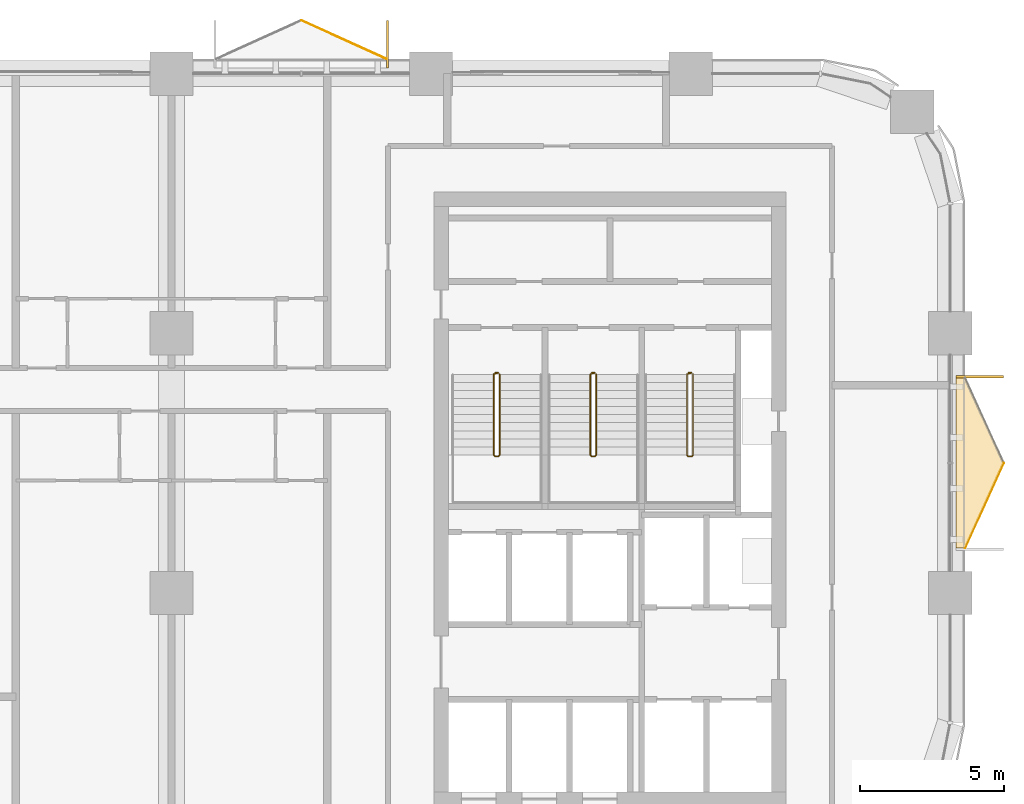
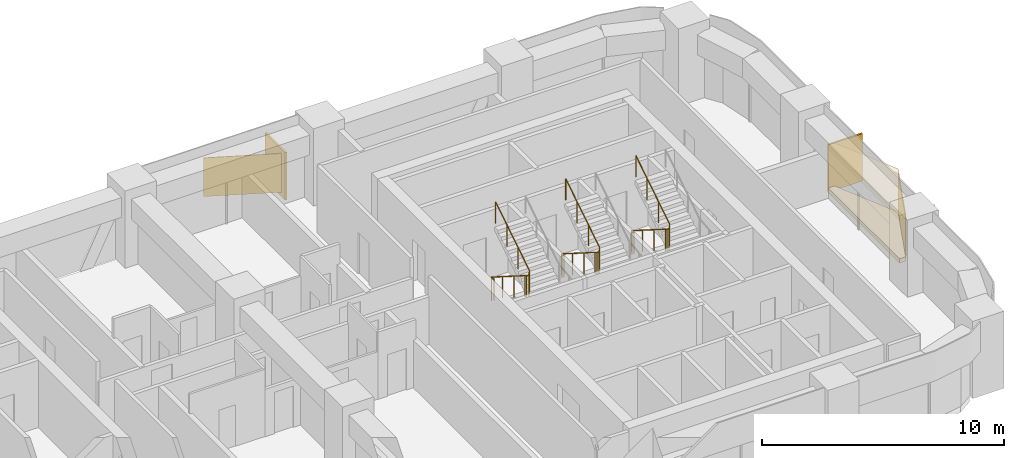
# One storey, part 14 of 14: 6 coverings, 3 railings.
"""IFC4 building model written with IfcOpenShell, lengths in metres."""

from ifc_helpers import new_model, si_unit, direction, frame, origin, origin_2d, place, context, subcontext, project, spatial, polyline, rectangle, circle, outline, extrude, material, layer, layer_set, type_object, element, save


model = new_model("IFC4")

# Units and contexts
model_context = context("Model", 3, precision=1e-05, world=origin(), true_north=direction((0.0, 1.0)))
body_context = subcontext(model_context, "Body", "Model", "MODEL_VIEW")
ifc_project = project(units=[si_unit("LENGTHUNIT", "METRE"), si_unit("AREAUNIT", "SQUARE_METRE"), si_unit("VOLUMEUNIT", "CUBIC_METRE"), si_unit("PLANEANGLEUNIT", "RADIAN"), si_unit("MASSUNIT", "GRAM", prefix="KILO")], contexts=[model_context])

# Site, building, storey
site_placement = place(None, origin())
site = spatial("IfcSite", under=ifc_project, at=site_placement, CompositionType="ELEMENT")
building_placement = place(site_placement, origin())
building = spatial("IfcBuilding", under=site, at=building_placement, Name="Tessera Arch", CompositionType="ELEMENT")
storey_placement = place(building_placement, frame((0.0, 0.0, 193.39990234375)))
storey = spatial("IfcBuildingStorey", under=building, at=storey_placement, Name="L46", CompositionType="ELEMENT", Elevation=193.39990234375)

# Railings
ifc_material_1 = material(Name="Painted steel balustrade", Category="steel")
railing_type = type_object("IfcRailingType", Name="Stair guard 1100", PredefinedType="GUARDRAIL", material=ifc_material_1)
railing_1_placement = place(storey_placement, frame((38.219970703125, 43.6298828125, 0.0)))
element("IfcRailing", 1, at=railing_1_placement, inside=storey, type_object=railing_type, Name="L46 S1a stair guard 1", PredefinedType="GUARDRAIL", context=body_context, shape_type="SweptSolid", body=[
    extrude(circle(Radius=0.02392578125, at=origin_2d()), frame((-0.00390625, 0.0, 1.076171875), z_axis=(1.0, 0.0, 0.0), x_axis=(0.0, 1.0, 0.0)), (0.0, 0.0, 1.0), 0.1181640625),
    extrude(circle(Radius=0.02392578125, at=origin_2d()), frame((0.11279296875, 0.000732421875, 1.0732421875), z_axis=(-0.655842288892, -0.203950955692, 0.72682521955), x_axis=(0.296948579431, -0.954893471113, 0.0)), (0.0, 0.0, 1.0), 0.252197265625),
    extrude(circle(Radius=0.02392578125, at=origin_2d()), frame((-0.050048828125, -0.04638671875, 1.25146484375), z_axis=(0.0, -0.844908973607, 0.534910110503), x_axis=(1.0, 0.0, 0.0)), (0.0, 0.0, 1.0), 3.322021484375),
    extrude(circle(Radius=0.02392578125, at=origin_2d()), frame((-0.052978515625, -2.846923828125, 3.0263671875), z_axis=(0.707106781187, -0.707106781187, 0.0), x_axis=(0.707106781187, 0.707106781187, 0.0)), (0.0, 0.0, 1.0), 0.078857421875),
    extrude(circle(Radius=0.02392578125, at=origin_2d()), frame((-0.00390625, -2.89990234375, 3.0263671875), z_axis=(1.0, 0.0, 0.0), x_axis=(0.0, 1.0, 0.0)), (0.0, 0.0, 1.0), 0.1181640625),
    extrude(circle(Radius=0.02392578125, at=origin_2d()), frame((0.109130859375, -2.90087890625, 3.0224609375), z_axis=(0.261041864531, 0.262321481514, 0.929001929653), x_axis=(-0.708833529934, 0.705375805398, 0.0)), (0.0, 0.0, 1.0), 0.19873046875),
    extrude(circle(Radius=0.02392578125, at=origin_2d()), frame((0.159912109375, -2.853271484375, 3.201416015625), z_axis=(0.0, 0.844908973607, 0.534910110503), x_axis=(-1.0, 0.0, 0.0)), (0.0, 0.0, 1.0), 3.322021484375),
    extrude(circle(Radius=0.02099609375, at=origin_2d()), origin(), (0.0, 0.0, 1.0), 1.06396484375),
    extrude(circle(Radius=0.02099609375, at=origin_2d()), frame((0.110107421875, 0.0, 0.0)), (0.0, 0.0, 1.0), 1.06396484375),
    extrude(circle(Radius=0.02099609375, at=origin_2d()), frame((-0.050048828125, -0.0498046875, 0.177490234375)), (0.0, 0.0, 1.0), 1.06396484375),
    extrude(circle(Radius=0.02099609375, at=origin_2d()), frame((-0.050048828125, -0.983154296875, 0.768310546875)), (0.0, 0.0, 1.0), 1.06396484375),
    extrude(circle(Radius=0.02099609375, at=origin_2d()), frame((-0.050048828125, -1.91650390625, 1.359375)), (0.0, 0.0, 1.0), 1.06396484375),
    extrude(circle(Radius=0.02099609375, at=origin_2d()), frame((-0.050048828125, -2.849853515625, 1.9501953125)), (0.0, 0.0, 1.0), 1.06396484375),
    extrude(circle(Radius=0.02099609375, at=origin_2d()), frame((0.0, -2.89990234375, 1.9501953125)), (0.0, 0.0, 1.0), 1.06396484375),
    extrude(circle(Radius=0.02099609375, at=origin_2d()), frame((0.110107421875, -2.89990234375, 1.9501953125)), (0.0, 0.0, 1.0), 1.06396484375),
    extrude(circle(Radius=0.02099609375, at=origin_2d()), frame((0.159912109375, -2.849853515625, 2.12744140625)), (0.0, 0.0, 1.0), 1.06396484375),
    extrude(circle(Radius=0.02099609375, at=origin_2d()), frame((0.159912109375, -1.91650390625, 2.71826171875)), (0.0, 0.0, 1.0), 1.06396484375),
    extrude(circle(Radius=0.02099609375, at=origin_2d()), frame((0.159912109375, -0.983154296875, 3.309326171875)), (0.0, 0.0, 1.0), 1.06396484375),
    extrude(circle(Radius=0.02099609375, at=origin_2d()), frame((0.159912109375, -0.0498046875, 3.900146484375)), (0.0, 0.0, 1.0), 1.06396484375),
])
railing_2_placement = place(storey_placement, frame((41.570068359375, 43.6298828125, 0.0)))
element("IfcRailing", 2, at=railing_2_placement, inside=storey, type_object=railing_type, Name="L46 S1b stair guard 1", PredefinedType="GUARDRAIL", context=body_context, shape_type="SweptSolid", body=[
    extrude(circle(Radius=0.02392578125, at=origin_2d()), frame((-0.00390625, 0.0, 1.076171875), z_axis=(1.0, 0.0, 0.0), x_axis=(0.0, 1.0, 0.0)), (0.0, 0.0, 1.0), 0.117919921875),
    extrude(circle(Radius=0.02392578125, at=origin_2d()), frame((0.112548828125, 0.000732421875, 1.0732421875), z_axis=(-0.655271994328, -0.204084712737, 0.727301892941), x_axis=(0.297361876254, -0.954764847777, 0.0)), (0.0, 0.0, 1.0), 0.251953125),
    extrude(circle(Radius=0.02392578125, at=origin_2d()), frame((-0.050048828125, -0.04638671875, 1.25146484375), z_axis=(0.0, -0.844908973607, 0.534910110503), x_axis=(1.0, 0.0, 0.0)), (0.0, 0.0, 1.0), 3.322021484375),
    extrude(circle(Radius=0.02392578125, at=origin_2d()), frame((-0.052978515625, -2.846923828125, 3.0263671875), z_axis=(0.707106781187, -0.707106781187, 0.0), x_axis=(0.707106781187, 0.707106781187, 0.0)), (0.0, 0.0, 1.0), 0.078857421875),
    extrude(circle(Radius=0.02392578125, at=origin_2d()), frame((-0.00390625, -2.89990234375, 3.0263671875), z_axis=(1.0, 0.0, 0.0), x_axis=(0.0, 1.0, 0.0)), (0.0, 0.0, 1.0), 0.117919921875),
    extrude(circle(Radius=0.02392578125, at=origin_2d()), frame((0.10888671875, -2.90087890625, 3.0224609375), z_axis=(0.262233686654, 0.262233686654, 0.928691007369), x_axis=(-0.707106781187, 0.707106781187, 0.0)), (0.0, 0.0, 1.0), 0.198974609375),
    extrude(circle(Radius=0.02392578125, at=origin_2d()), frame((0.159912109375, -2.853271484375, 3.201416015625), z_axis=(0.0, 0.844908973607, 0.534910110503), x_axis=(-1.0, 0.0, 0.0)), (0.0, 0.0, 1.0), 3.322021484375),
    extrude(circle(Radius=0.02099609375, at=origin_2d()), origin(), (0.0, 0.0, 1.0), 1.06396484375),
    extrude(circle(Radius=0.02099609375, at=origin_2d()), frame((0.10986328125, 0.0, 0.0)), (0.0, 0.0, 1.0), 1.06396484375),
    extrude(circle(Radius=0.02099609375, at=origin_2d()), frame((-0.050048828125, -0.0498046875, 0.177490234375)), (0.0, 0.0, 1.0), 1.06396484375),
    extrude(circle(Radius=0.02099609375, at=origin_2d()), frame((-0.050048828125, -0.983154296875, 0.768310546875)), (0.0, 0.0, 1.0), 1.06396484375),
    extrude(circle(Radius=0.02099609375, at=origin_2d()), frame((-0.050048828125, -1.91650390625, 1.359375)), (0.0, 0.0, 1.0), 1.06396484375),
    extrude(circle(Radius=0.02099609375, at=origin_2d()), frame((-0.050048828125, -2.849853515625, 1.9501953125)), (0.0, 0.0, 1.0), 1.06396484375),
    extrude(circle(Radius=0.02099609375, at=origin_2d()), frame((0.0, -2.89990234375, 1.9501953125)), (0.0, 0.0, 1.0), 1.06396484375),
    extrude(circle(Radius=0.02099609375, at=origin_2d()), frame((0.10986328125, -2.89990234375, 1.9501953125)), (0.0, 0.0, 1.0), 1.06396484375),
    extrude(circle(Radius=0.02099609375, at=origin_2d()), frame((0.159912109375, -2.849853515625, 2.12744140625)), (0.0, 0.0, 1.0), 1.06396484375),
    extrude(circle(Radius=0.02099609375, at=origin_2d()), frame((0.159912109375, -1.91650390625, 2.71826171875)), (0.0, 0.0, 1.0), 1.06396484375),
    extrude(circle(Radius=0.02099609375, at=origin_2d()), frame((0.159912109375, -0.983154296875, 3.309326171875)), (0.0, 0.0, 1.0), 1.06396484375),
    extrude(circle(Radius=0.02099609375, at=origin_2d()), frame((0.159912109375, -0.0498046875, 3.900146484375)), (0.0, 0.0, 1.0), 1.06396484375),
])
railing_3_placement = place(storey_placement, frame((44.919921875, 43.6298828125, 0.0)))
element("IfcRailing", 3, at=railing_3_placement, inside=storey, type_object=railing_type, Name="L46 S1c stair guard 1", PredefinedType="GUARDRAIL", context=body_context, shape_type="SweptSolid", body=[
    extrude(circle(Radius=0.02392578125, at=origin_2d()), frame((-0.00390625, 0.0, 1.076171875), z_axis=(1.0, 0.0, 0.0), x_axis=(0.0, 1.0, 0.0)), (0.0, 0.0, 1.0), 0.1181640625),
    extrude(circle(Radius=0.02392578125, at=origin_2d()), frame((0.11279296875, 0.000732421875, 1.0732421875), z_axis=(-0.655271994328, -0.204084712737, 0.727301892941), x_axis=(0.297361876254, -0.954764847777, 0.0)), (0.0, 0.0, 1.0), 0.251953125),
    extrude(circle(Radius=0.02392578125, at=origin_2d()), frame((-0.0498046875, -0.04638671875, 1.25146484375), z_axis=(0.0, -0.844908973607, 0.534910110503), x_axis=(1.0, 0.0, 0.0)), (0.0, 0.0, 1.0), 3.322021484375),
    extrude(circle(Radius=0.02392578125, at=origin_2d()), frame((-0.052734375, -2.846923828125, 3.0263671875), z_axis=(0.705375805398, -0.708833529934, 0.0), x_axis=(0.708833529934, 0.705375805398, 0.0)), (0.0, 0.0, 1.0), 0.07861328125),
    extrude(circle(Radius=0.02392578125, at=origin_2d()), frame((-0.00390625, -2.89990234375, 3.0263671875), z_axis=(1.0, 0.0, 0.0), x_axis=(0.0, 1.0, 0.0)), (0.0, 0.0, 1.0), 0.1181640625),
    extrude(circle(Radius=0.02392578125, at=origin_2d()), frame((0.109130859375, -2.90087890625, 3.0224609375), z_axis=(0.262233686654, 0.262233686654, 0.928691007369), x_axis=(-0.707106781187, 0.707106781187, 0.0)), (0.0, 0.0, 1.0), 0.198974609375),
    extrude(circle(Radius=0.02392578125, at=origin_2d()), frame((0.16015625, -2.853271484375, 3.201416015625), z_axis=(0.0, 0.844908973607, 0.534910110503), x_axis=(-1.0, 0.0, 0.0)), (0.0, 0.0, 1.0), 3.322021484375),
    extrude(circle(Radius=0.02099609375, at=origin_2d()), origin(), (0.0, 0.0, 1.0), 1.06396484375),
    extrude(circle(Radius=0.02099609375, at=origin_2d()), frame((0.110107421875, 0.0, 0.0)), (0.0, 0.0, 1.0), 1.06396484375),
    extrude(circle(Radius=0.02099609375, at=origin_2d()), frame((-0.0498046875, -0.0498046875, 0.177490234375)), (0.0, 0.0, 1.0), 1.06396484375),
    extrude(circle(Radius=0.02099609375, at=origin_2d()), frame((-0.0498046875, -0.983154296875, 0.768310546875)), (0.0, 0.0, 1.0), 1.06396484375),
    extrude(circle(Radius=0.02099609375, at=origin_2d()), frame((-0.0498046875, -1.91650390625, 1.359375)), (0.0, 0.0, 1.0), 1.06396484375),
    extrude(circle(Radius=0.02099609375, at=origin_2d()), frame((-0.0498046875, -2.849853515625, 1.9501953125)), (0.0, 0.0, 1.0), 1.06396484375),
    extrude(circle(Radius=0.02099609375, at=origin_2d()), frame((0.0, -2.89990234375, 1.9501953125)), (0.0, 0.0, 1.0), 1.06396484375),
    extrude(circle(Radius=0.02099609375, at=origin_2d()), frame((0.110107421875, -2.89990234375, 1.9501953125)), (0.0, 0.0, 1.0), 1.06396484375),
    extrude(circle(Radius=0.02099609375, at=origin_2d()), frame((0.16015625, -2.849853515625, 2.12744140625)), (0.0, 0.0, 1.0), 1.06396484375),
    extrude(circle(Radius=0.02099609375, at=origin_2d()), frame((0.16015625, -1.91650390625, 2.71826171875)), (0.0, 0.0, 1.0), 1.06396484375),
    extrude(circle(Radius=0.02099609375, at=origin_2d()), frame((0.16015625, -0.983154296875, 3.309326171875)), (0.0, 0.0, 1.0), 1.06396484375),
    extrude(circle(Radius=0.02099609375, at=origin_2d()), frame((0.16015625, -0.0498046875, 3.900146484375)), (0.0, 0.0, 1.0), 1.06396484375),
])

# Coverings
ifc_material_2 = material(Name="Anodised aluminium pale metal", Category="aluminium")
ifc_layer_1 = layer(ifc_material_2, 0.080078125)
ifc_layer_set_1 = layer_set([ifc_layer_1], Name="Window box cheek")
covering_type_1 = type_object("IfcCoveringType", Name="Window box cheek", PredefinedType="CLADDING", material=ifc_layer_set_1)
covering_1_placement = place(storey_placement, origin())
element("IfcCovering", 4, at=covering_1_placement, inside=storey, type_object=covering_type_1, Name="Window box N54.0/2.0 2x1 cheek", PredefinedType="CLADDING", context=body_context, shape_type="SweptSolid", body=[
    extrude(outline(polyline([(34.530029296875, 55.85009765625), (34.449951171875, 55.85009765625), (34.449951171875, 54.199951171875), (34.530029296875, 54.199951171875), (34.530029296875, 55.85009765625)])), origin(), (0.0, 0.0, 1.0), 2.400146484375),
])
covering_2_placement = place(storey_placement, origin())
element("IfcCovering", 5, at=covering_2_placement, inside=storey, type_object=covering_type_1, Name="Window box E54.27/0.0 2x1 cheek", PredefinedType="CLADDING", context=body_context, shape_type="SweptSolid", body=[
    extrude(outline(polyline([(55.85009765625, 43.449951171875), (55.85009765625, 43.530029296875), (54.199951171875, 43.530029296875), (54.199951171875, 43.449951171875), (55.85009765625, 43.449951171875)])), origin(), (0.0, 0.0, 1.0), 2.400146484375),
])
ifc_material_3 = material(Name="Anodised aluminium pale metal", Category="aluminium")
ifc_layer_2 = layer(ifc_material_3, 0.219970703125)
ifc_layer_set_2 = layer_set([ifc_layer_2], Name="Window box frame plate pale metal")
covering_type_2 = type_object("IfcCoveringType", Name="Window box frame plate pale metal", PredefinedType="CLADDING", material=ifc_layer_set_2)
covering_3_placement = place(storey_placement, origin())
element("IfcCovering", 6, at=covering_3_placement, inside=storey, type_object=covering_type_2, Name="Window box E54.27/0.0 2x1 floor", PredefinedType="CLADDING", context=body_context, shape_type="SweptSolid", body=[
    extrude(outline(polyline([(54.510009765625, 37.550048828125), (55.85009765625, 40.5), (54.510009765625, 43.449951171875), (54.199951171875, 43.449951171875), (54.199951171875, 37.550048828125), (54.510009765625, 37.550048828125)])), origin(), (0.0, 0.0, 1.0), 0.22021484375),
])
covering_4_placement = place(storey_placement, frame((0.0, 0.0, 2.18017578125)))
element("IfcCovering", 7, at=covering_4_placement, inside=storey, type_object=covering_type_2, Name="Window box E54.27/0.0 2x1 roof", PredefinedType="CLADDING", context=body_context, shape_type="SweptSolid", body=[
    extrude(outline(polyline([(54.510009765625, 37.550048828125), (55.85009765625, 40.5), (54.510009765625, 43.449951171875), (54.199951171875, 43.449951171875), (54.199951171875, 37.550048828125), (54.510009765625, 37.550048828125)])), origin(), (0.0, 0.0, 1.0), 0.219970703125),
])
ifc_material_4 = material(Name="Anodised aluminium pale metal", Category="aluminium")
ifc_layer_3 = layer(ifc_material_4, 0.028076171875)
ifc_layer_set_3 = layer_set([ifc_layer_3], Name="Window box side panel")
covering_type_3 = type_object("IfcCoveringType", Name="Window box side panel", PredefinedType="CLADDING", material=ifc_layer_set_3)
for number, where, z_axis, x_axis, name in (
    (8, (32.97509765625, 55.179931640625, 0.22021484375), (0.0, 0.0, 1.0), (-0.910472144558, 0.413570397858, 0.0), "Window box N54.0/2.0 2x1 side panel"),
    (9, (55.179931640625, 39.02490234375, 0.22021484375), (0.0, 0.0, 1.0), (0.413570397858, 0.910472144558, 0.0), "Window box E54.27/0.0 2x1 side panel"),
):
    element("IfcCovering", number, at=place(storey_placement, frame(where, z_axis=z_axis, x_axis=x_axis)), inside=storey, type_object=covering_type_3, Name=name, PredefinedType="CLADDING", context=body_context, shape_type="SweptSolid", body=[
        extrude(rectangle(XDim=3.239990234375, YDim=0.028076171875, at=origin_2d()), origin(), (0.0, 0.0, 1.0), 1.9599609375),
    ])

save(model, "model.ifc")
